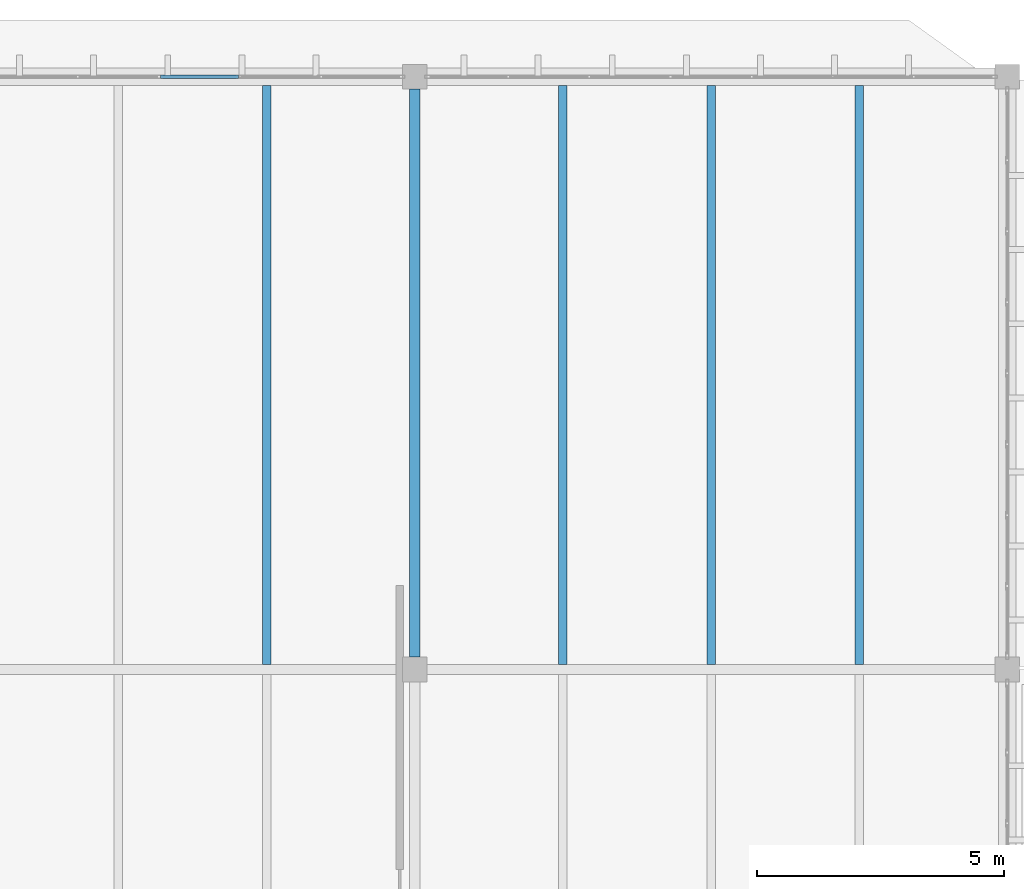
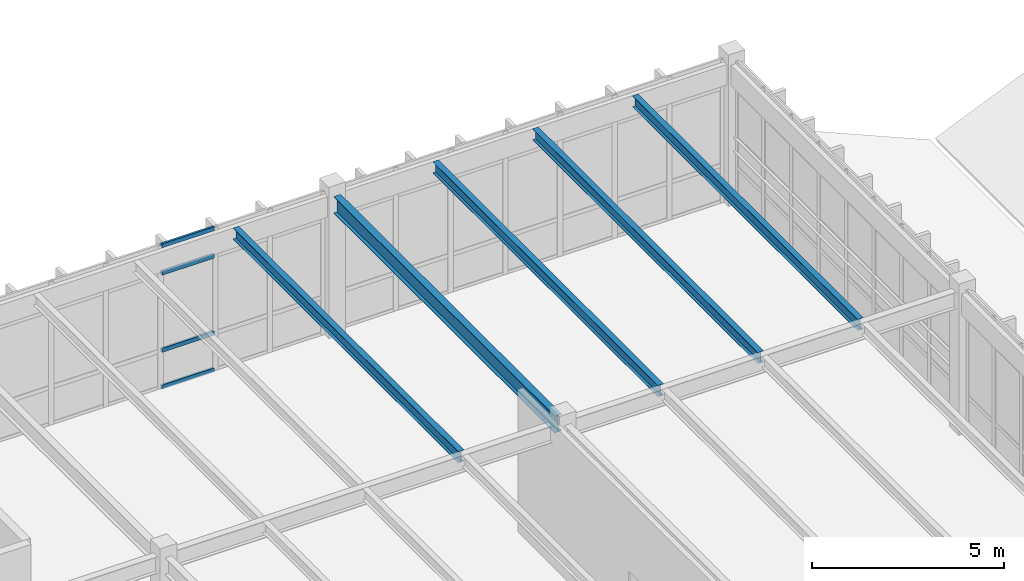
# One storey, part 177 of 236: 5 beams, 4 members, 1 element without a shape of its own.
"""IFC4 building model written with IfcOpenShell, lengths in metres."""

from ifc_helpers import new_model, si_unit, direction, frame, origin, origin_2d, place, context, subcontext, project, spatial, hollow_rectangle, i_section, extrude, material, layer, layer_set, material_profile, profile_set, type_object, element, aggregate, save


model = new_model("IFC4")

# Units and contexts
model_context = context("Model", 3, precision=1e-05, world=origin(), true_north=direction((0.0, 1.0)))
body_context = subcontext(model_context, "Body", "Model", "MODEL_VIEW")
ifc_project = project(units=[si_unit("LENGTHUNIT", "METRE"), si_unit("AREAUNIT", "SQUARE_METRE"), si_unit("VOLUMEUNIT", "CUBIC_METRE"), si_unit("PLANEANGLEUNIT", "RADIAN"), si_unit("MASSUNIT", "GRAM", prefix="KILO")], contexts=[model_context])

# Site, building, storey
site_placement = place(None, origin())
site = spatial("IfcSite", under=ifc_project, at=site_placement, CompositionType="ELEMENT")
building_placement = place(site_placement, origin())
building = spatial("IfcBuilding", under=site, at=building_placement, Name="Pandanus Reach Market Hall", CompositionType="ELEMENT")
storey_placement = place(building_placement, frame((0.0, 0.0, 5.39990234375)))
storey = spatial("IfcBuildingStorey", under=building, at=storey_placement, Name="L01", CompositionType="ELEMENT", Elevation=5.39990234375)

# Beam
ifc_material_1 = material(Name="Steel Grade 350 (350 MPa)", Category="steel")
ifc_material_profile_1 = material_profile(ifc_material_1, i_section(OverallWidth=0.208984375, OverallDepth=0.532958984375, WebThickness=0.01025390625, FlangeThickness=0.015625, at=origin_2d()), Name="530UB92.4", Category="LoadBearing")
ifc_profile_set_1 = profile_set([ifc_material_profile_1], Name="Steel Grade 350 (350 MPa)")
beam_type_1 = type_object("IfcBeamType", Name="BM-UB530-I", PredefinedType="BEAM", material=ifc_profile_set_1)
beam_placement = place(storey_placement, frame((132.0, 108.248046875, 4.193115234375), z_axis=(0.0, 1.0, 0.0), x_axis=(-1.0, 0.0, 0.0)))
element("IfcBeam", 1, at=beam_placement, inside=storey, type_object=beam_type_1, Name="Framing beam BM-UB530-I L01.882", PredefinedType="BEAM", context=body_context, shape_type="SweptSolid", body=[
    extrude(i_section(OverallWidth=0.208984375, OverallDepth=0.532958984375, WebThickness=0.01025390625, FlangeThickness=0.015625, at=origin_2d()), origin(), (0.0, 0.0, 1.0), 11.50390625),
])

# Curtain wall, members
ifc_material_2 = material(Name="Bronze anodised aluminium and low-E glass", Category="aluminium")
ifc_layer = layer(ifc_material_2, 0.159912109375, Name="CW-39")
ifc_layer_set = layer_set([ifc_layer], Name="Bronze anodised aluminium and low-E glass")
curtain_wall_type = type_object("IfcCurtainWallType", Name="CW-39", PredefinedType="NOTDEFINED", material=ifc_layer_set)
curtain_wall_placement = place(storey_placement, origin())
curtain_wall = element("IfcCurtainWall", 2, at=curtain_wall_placement, inside=storey, type_object=curtain_wall_type, Name="Glazed curtain wall CW-39 CW-0144", PredefinedType="NOTDEFINED")
ifc_material_3 = material(Name="Bronze anodised aluminium", Category="aluminium")
ifc_material_profile_2 = material_profile(ifc_material_3, hollow_rectangle(XDim=0.06494140625, YDim=0.1298828125, WallThickness=0.00390625, at=origin_2d()), Name="ALU65x130", Category="LoadBearing")
ifc_profile_set_2 = profile_set([ifc_material_profile_2], Name="Bronze anodised aluminium")
member_type = type_object("IfcMemberType", Name="CW-T1", PredefinedType="USERDEFINED", material=ifc_profile_set_2)
member_1_placement = place(storey_placement, frame((126.85400390625, 120.0, 0.03271484375), z_axis=(1.0, 0.0, 0.0), x_axis=(0.0, 1.0, 0.0)))
member_1 = element("IfcMember", 3, at=member_1_placement, type_object=member_type, Name="CW-39 transom 5.1", ObjectType="TRANSOM", PredefinedType="USERDEFINED", context=body_context, shape_type="SweptSolid", body=[
    extrude(hollow_rectangle(XDim=0.06494140625, YDim=0.1298828125, WallThickness=0.00390625, at=origin_2d()), origin(), (0.0, 0.0, 1.0), 1.577880859375),
])
member_2_placement = place(storey_placement, frame((126.85400390625, 120.0, 1.2001953125), z_axis=(1.0, 0.0, 0.0), x_axis=(0.0, 1.0, 0.0)))
member_2 = element("IfcMember", 4, at=member_2_placement, type_object=member_type, Name="CW-39 transom 5.2", ObjectType="TRANSOM", PredefinedType="USERDEFINED", context=body_context, shape_type="SweptSolid", body=[
    extrude(hollow_rectangle(XDim=0.06494140625, YDim=0.1298828125, WallThickness=0.00390625, at=origin_2d()), origin(), (0.0, 0.0, 1.0), 1.577880859375),
])
member_3_placement = place(storey_placement, frame((126.85400390625, 120.0, 3.650146484375), z_axis=(1.0, 0.0, 0.0), x_axis=(0.0, 1.0, 0.0)))
member_3 = element("IfcMember", 5, at=member_3_placement, type_object=member_type, Name="CW-39 transom 5.3", ObjectType="TRANSOM", PredefinedType="USERDEFINED", context=body_context, shape_type="SweptSolid", body=[
    extrude(hollow_rectangle(XDim=0.06494140625, YDim=0.1298828125, WallThickness=0.00390625, at=origin_2d()), origin(), (0.0, 0.0, 1.0), 1.577880859375),
])
member_4_placement = place(storey_placement, frame((126.85400390625, 120.0, 4.517578125), z_axis=(1.0, 0.0, 0.0), x_axis=(0.0, 1.0, 0.0)))
member_4 = element("IfcMember", 6, at=member_4_placement, type_object=member_type, Name="CW-39 transom 5.4", ObjectType="TRANSOM", PredefinedType="USERDEFINED", context=body_context, shape_type="SweptSolid", body=[
    extrude(hollow_rectangle(XDim=0.06494140625, YDim=0.1298828125, WallThickness=0.00390625, at=origin_2d()), origin(), (0.0, 0.0, 1.0), 1.577880859375),
])
aggregate(curtain_wall, [member_1, member_2, member_3, member_4])

# Beams
ifc_material_profile_3 = material_profile(ifc_material_1, i_section(OverallWidth=0.1708984375, OverallDepth=0.35595703125, WebThickness=0.00732421875, FlangeThickness=0.011474609375, at=origin_2d()), Name="360UB50.7", Category="LoadBearing")
ifc_profile_set_3 = profile_set([ifc_material_profile_3], Name="Steel Grade 350 (350 MPa)")
beam_type_2 = type_object("IfcBeamType", Name="JS-UB360-I", PredefinedType="JOIST", material=ifc_profile_set_3)
for number, where, z_axis, x_axis, name in (
    (7, (129.0, 108.1025390625, 4.28173828125), (0.0, 1.0, 0.0), (-1.0, 0.0, 0.0), "Secondary joist JS-UB360-I L01.914"),
    (8, (135.0, 108.1025390625, 4.28173828125), (0.0, 1.0, 0.0), (-1.0, 0.0, 0.0), "Secondary joist JS-UB360-I L01.918"),
    (9, (138.0, 108.1025390625, 4.28173828125), (0.0, 1.0, 0.0), (-1.0, 0.0, 0.0), "Secondary joist JS-UB360-I L01.919"),
    (10, (141.0, 108.1025390625, 4.28173828125), (0.0, 1.0, 0.0), (-1.0, 0.0, 0.0), "Secondary joist JS-UB360-I L01.920"),
):
    element("IfcBeam", number, at=place(storey_placement, frame(where, z_axis=z_axis, x_axis=x_axis)), inside=storey, type_object=beam_type_2, Name=name, PredefinedType="JOIST", context=body_context, shape_type="SweptSolid", body=[
        extrude(i_section(OverallWidth=0.1708984375, OverallDepth=0.35595703125, WebThickness=0.00732421875, FlangeThickness=0.011474609375, at=origin_2d()), origin(), (0.0, 0.0, 1.0), 11.724365234375),
    ])

save(model, "model.ifc")
